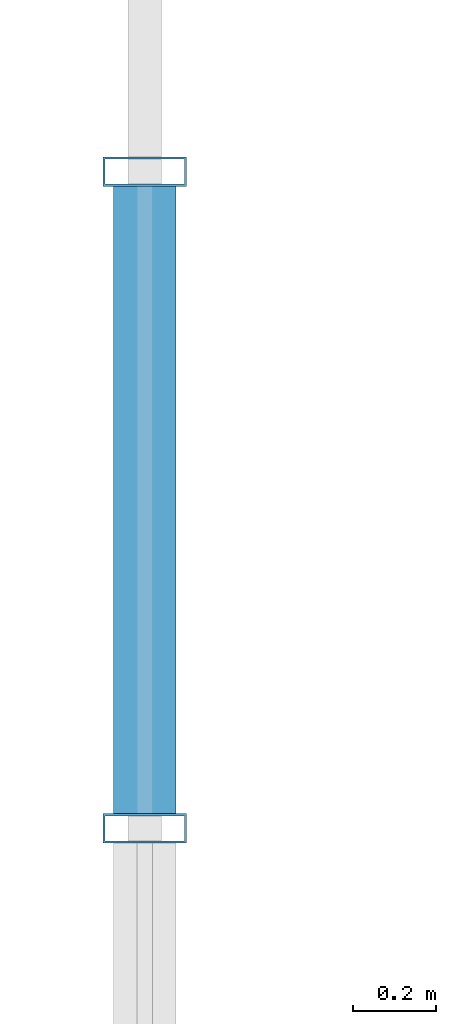
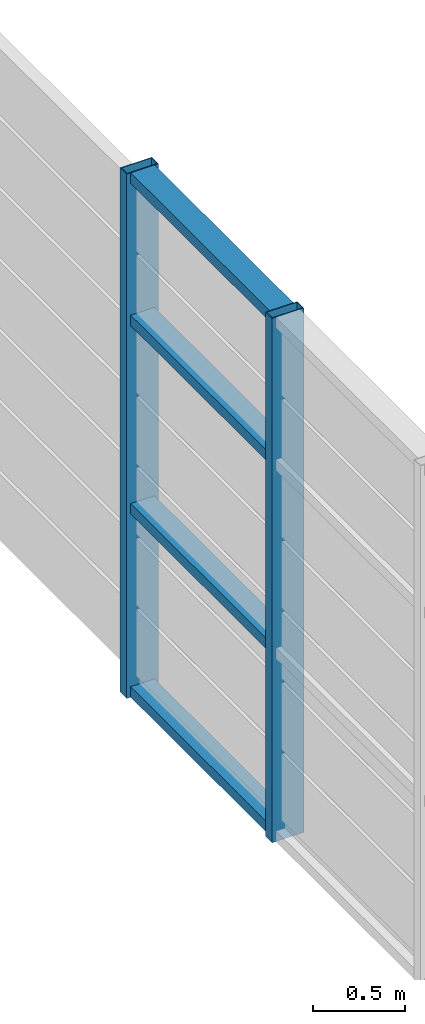
# One storey, part 9 of 21: 6 members, 1 element without a shape of its own.
"""IFC4 building model written with IfcOpenShell, lengths in metres."""

from ifc_helpers import new_model, si_unit, direction, frame, origin, origin_2d, place, context, subcontext, project, spatial, hollow_rectangle, extrude, source, transform, mapped, material, layer, layer_set, material_profile, profile_set, type_object, element, aggregate, save


model = new_model("IFC4")

# Units and contexts
model_context = context("Model", 3, precision=1e-05, world=origin(), true_north=direction((0.0, 1.0)))
body_context = subcontext(model_context, "Body", "Model", "MODEL_VIEW")
ifc_project = project(units=[si_unit("LENGTHUNIT", "METRE"), si_unit("AREAUNIT", "SQUARE_METRE"), si_unit("VOLUMEUNIT", "CUBIC_METRE"), si_unit("PLANEANGLEUNIT", "RADIAN"), si_unit("MASSUNIT", "GRAM", prefix="KILO")], contexts=[model_context])

# Site, building, storey
site_placement = place(None, origin())
site = spatial("IfcSite", under=ifc_project, at=site_placement, CompositionType="ELEMENT")
building_placement = place(site_placement, origin())
building = spatial("IfcBuilding", under=site, at=building_placement, Name="Saelheon Loggia Tower", CompositionType="ELEMENT")
storey_placement = place(building_placement, frame((0.0, 0.0, 259.800048828125)))
storey = spatial("IfcBuildingStorey", under=building, at=storey_placement, Name="CR3", CompositionType="ELEMENT", Elevation=259.800048828125)

# Curtain wall, members
ifc_material_1 = material(Name="Bronze-Anodised Aluminium and Fritted Ceramic Screen", Category="aluminium")
ifc_layer = layer(ifc_material_1, 0.219970703125)
ifc_layer_set = layer_set([ifc_layer], Name="Bronze-Anodised Aluminium and Fritted Ceramic Screen")
curtain_wall_type = type_object("IfcCurtainWallType", Name="CW_CrownScreen", PredefinedType="NOTDEFINED", material=ifc_layer_set)
curtain_wall_placement = place(storey_placement, origin())
curtain_wall = element("IfcCurtainWall", 1, at=curtain_wall_placement, inside=storey, type_object=curtain_wall_type, Name="CR3 Crown Central Screen Curtain Wall 9", PredefinedType="NOTDEFINED")
ifc_material_2 = material(Name="Bronze-Anodised Aluminium 6063-T6", Category="aluminium")
ifc_material_profile_1 = material_profile(ifc_material_2, hollow_rectangle(XDim=0.070068359375, YDim=0.199951171875, WallThickness=0.0048828125, at=origin_2d()), Name="RHS-200x70x5")
ifc_profile_set_1 = profile_set([ifc_material_profile_1], Name="Bronze-Anodised Aluminium 6063-T6")
member_type_1 = type_object("IfcMemberType", Name="CW_CrownScreen_Mullion", PredefinedType="MULLION", material=ifc_profile_set_1)
shared_shape_1 = source(origin(), body_context, "Body", "SweptSolid", [
    extrude(hollow_rectangle(XDim=0.070068359375, YDim=0.199951171875, WallThickness=0.0048828125, at=origin_2d()), origin(), (0.0, 0.0, 1.0), 3.47998046875),
])
member_1_placement = place(storey_placement, frame((23.35009765625, 31.03564453125, 0.0), z_axis=(0.0, 0.0, 1.0), x_axis=(0.0, 1.0, 0.0)))
member_1 = element("IfcMember", 2, at=member_1_placement, type_object=member_type_1, Name="CW6 mullion 7", PredefinedType="MULLION", context=body_context, shape_type="MappedRepresentation", body=[
    mapped(shared_shape_1, transform((0.0, 0.0, 0.0), scale=1.0)),
])
member_2_placement = place(storey_placement, frame((23.35009765625, 32.614990234375, 0.0), z_axis=(0.0, 0.0, 1.0), x_axis=(0.0, 1.0, 0.0)))
member_2 = element("IfcMember", 3, at=member_2_placement, type_object=member_type_1, Name="CW6 mullion 8", PredefinedType="MULLION", context=body_context, shape_type="MappedRepresentation", body=[
    mapped(shared_shape_1, transform((0.0, 0.0, 0.0), scale=1.0)),
])
ifc_material_profile_2 = material_profile(ifc_material_2, hollow_rectangle(XDim=0.070068359375, YDim=0.14990234375, WallThickness=0.0048828125, at=origin_2d()), Name="RHS-150x70x5")
ifc_profile_set_2 = profile_set([ifc_material_profile_2], Name="Bronze-Anodised Aluminium 6063-T6")
member_type_2 = type_object("IfcMemberType", Name="CW_CrownScreen_Transom", PredefinedType="USERDEFINED", material=ifc_profile_set_2)
shared_shape_2 = source(origin(), body_context, "Body", "SweptSolid", [
    extrude(hollow_rectangle(XDim=0.070068359375, YDim=0.14990234375, WallThickness=0.0048828125, at=origin_2d()), origin(), (0.0, 0.0, 1.0), 1.50927734375),
])
member_3_placement = place(storey_placement, frame((23.35009765625, 31.07080078125, 0.034912109375), z_axis=(0.0, 1.0, 0.0), x_axis=(0.0, 0.0, 1.0)))
member_3 = element("IfcMember", 4, at=member_3_placement, type_object=member_type_2, Name="CW6 transom 7.1", ObjectType="TRANSOM", PredefinedType="USERDEFINED", context=body_context, shape_type="MappedRepresentation", body=[
    mapped(shared_shape_2, transform((0.0, 0.0, 0.0), scale=1.0)),
])
member_4_placement = place(storey_placement, frame((23.35009765625, 31.07080078125, 1.25), z_axis=(0.0, 1.0, 0.0), x_axis=(0.0, 0.0, 1.0)))
member_4 = element("IfcMember", 5, at=member_4_placement, type_object=member_type_2, Name="CW6 transom 7.2", ObjectType="TRANSOM", PredefinedType="USERDEFINED", context=body_context, shape_type="MappedRepresentation", body=[
    mapped(shared_shape_2, transform((0.0, 0.0, 0.0), scale=1.0)),
])
member_5_placement = place(storey_placement, frame((23.35009765625, 31.07080078125, 2.5), z_axis=(0.0, 1.0, 0.0), x_axis=(0.0, 0.0, 1.0)))
member_5 = element("IfcMember", 6, at=member_5_placement, type_object=member_type_2, Name="CW6 transom 7.3", ObjectType="TRANSOM", PredefinedType="USERDEFINED", context=body_context, shape_type="MappedRepresentation", body=[
    mapped(shared_shape_2, transform((0.0, 0.0, 0.0), scale=1.0)),
])
member_6_placement = place(storey_placement, frame((23.35009765625, 31.07080078125, 3.445068359375), z_axis=(0.0, 1.0, 0.0), x_axis=(0.0, 0.0, 1.0)))
member_6 = element("IfcMember", 7, at=member_6_placement, type_object=member_type_2, Name="CW6 transom 7.4", ObjectType="TRANSOM", PredefinedType="USERDEFINED", context=body_context, shape_type="MappedRepresentation", body=[
    mapped(shared_shape_2, transform((0.0, 0.0, 0.0), scale=1.0)),
])
aggregate(curtain_wall, [member_1, member_2, member_3, member_4, member_5, member_6])

save(model, "model.ifc")
